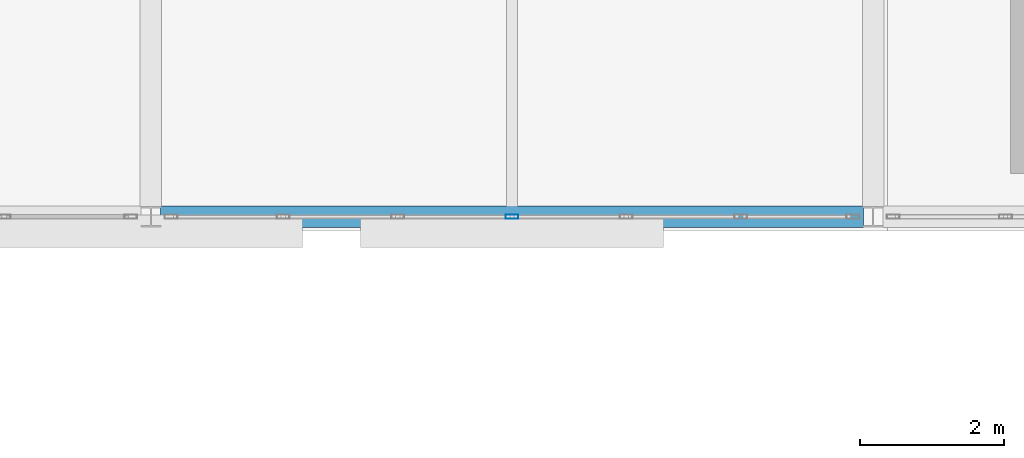
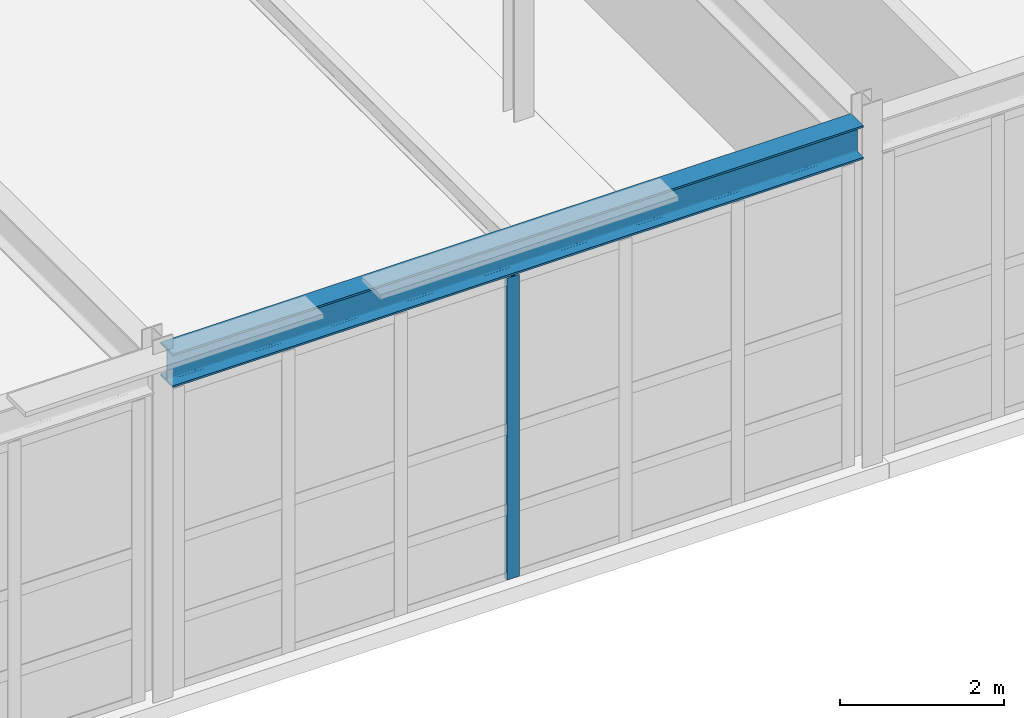
# One storey, part 141 of 239: 1 beam, 1 member, 1 element without a shape of its own.
"""IFC4 building model written with IfcOpenShell, lengths in metres."""

from ifc_helpers import new_model, si_unit, direction, frame, origin, origin_2d, place, context, subcontext, project, spatial, hollow_rectangle, i_section, extrude, material, material_profile, profile_set, type_object, element, aggregate, save


model = new_model("IFC4")

# Units and contexts
model_context = context("Model", 3, precision=1e-05, world=origin(), true_north=direction((0.0, 1.0)))
body_context = subcontext(model_context, "Body", "Model", "MODEL_VIEW")
ifc_project = project(units=[si_unit("LENGTHUNIT", "METRE"), si_unit("AREAUNIT", "SQUARE_METRE"), si_unit("VOLUMEUNIT", "CUBIC_METRE"), si_unit("PLANEANGLEUNIT", "RADIAN"), si_unit("MASSUNIT", "GRAM", prefix="KILO")], contexts=[model_context])

# Site, building, storey
site_placement = place(None, origin())
site = spatial("IfcSite", under=ifc_project, at=site_placement, CompositionType="ELEMENT")
building_placement = place(site_placement, origin())
building = spatial("IfcBuilding", under=site, at=building_placement, Name="Kaldris Quays Convention Centre", CompositionType="ELEMENT")
storey_placement = place(building_placement, frame((0.0, 0.0, 11.39990234375)))
storey = spatial("IfcBuildingStorey", under=building, at=storey_placement, Name="L02", CompositionType="ELEMENT", Elevation=11.39990234375)

# Curtain wall, member
ifc_material_1 = material(Name="Anodized aluminium AW-6060 and triple glazing", Category="aluminium")
curtain_wall_type = type_object("IfcCurtainWallType", Name="UNITISED CURTAIN WALL CW02", PredefinedType="NOTDEFINED", material=ifc_material_1)
curtain_wall_placement = place(storey_placement, origin())
curtain_wall = element("IfcCurtainWall", 1, at=curtain_wall_placement, inside=storey, type_object=curtain_wall_type, Name="L02 Unitised Curtain Wall CW02 203", PredefinedType="NOTDEFINED")
ifc_material_2 = material(Name="Anodized aluminium AW-6060", Category="aluminium")
ifc_material_profile_1 = material_profile(ifc_material_2, hollow_rectangle(XDim=0.06005859375, YDim=0.179931640625, WallThickness=0.0048828125, at=origin_2d()), Name="RHS 180x60x5")
ifc_profile_set_1 = profile_set([ifc_material_profile_1], Name="Anodized aluminium AW-6060")
member_type = type_object("IfcMemberType", Name="CURTAIN MULLION CWM2", PredefinedType="MULLION", material=ifc_profile_set_1)
member_placement = place(storey_placement, frame((179.0, 20.0, 0.0), z_axis=(0.0, 0.0, 1.0), x_axis=(0.0, 1.0, 0.0)))
member = element("IfcMember", 2, at=member_placement, type_object=member_type, Name="CW02 mullion 4", PredefinedType="MULLION", context=body_context, shape_type="SweptSolid", body=[
    extrude(hollow_rectangle(XDim=0.06005859375, YDim=0.179931640625, WallThickness=0.0048828125, at=origin_2d()), origin(), (0.0, 0.0, 1.0), 4.498046875),
])
aggregate(curtain_wall, [member])

# Beam
ifc_material_3 = material(Name="Steel S355J2", Category="steel")
ifc_material_profile_2 = material_profile(ifc_material_3, i_section(OverallWidth=0.300048828125, OverallDepth=0.5, WebThickness=0.014404296875, FlangeThickness=0.028076171875, FilletRadius=0.027099609375, at=origin_2d()), Name="HEB 500")
ifc_profile_set_2 = profile_set([ifc_material_profile_2], Name="Steel S355J2")
beam_type = type_object("IfcBeamType", Name="STRUCTURAL BEAM BM06", PredefinedType="BEAM", material=ifc_profile_set_2)
beam_placement = place(storey_placement, frame((174.134033203125, 20.0, 4.863037109375), z_axis=(1.0, 0.0, 0.0), x_axis=(0.0, 1.0, 0.0)))
element("IfcBeam", 3, at=beam_placement, inside=storey, type_object=beam_type, Name="L02 Girder BM06 3", PredefinedType="BEAM", context=body_context, shape_type="SweptSolid", body=[
    extrude(i_section(OverallWidth=0.300048828125, OverallDepth=0.5, WebThickness=0.014404296875, FlangeThickness=0.028076171875, FilletRadius=0.027099609375, at=origin_2d()), origin(), (0.0, 0.0, 1.0), 9.73193359375),
])

save(model, "model.ifc")
